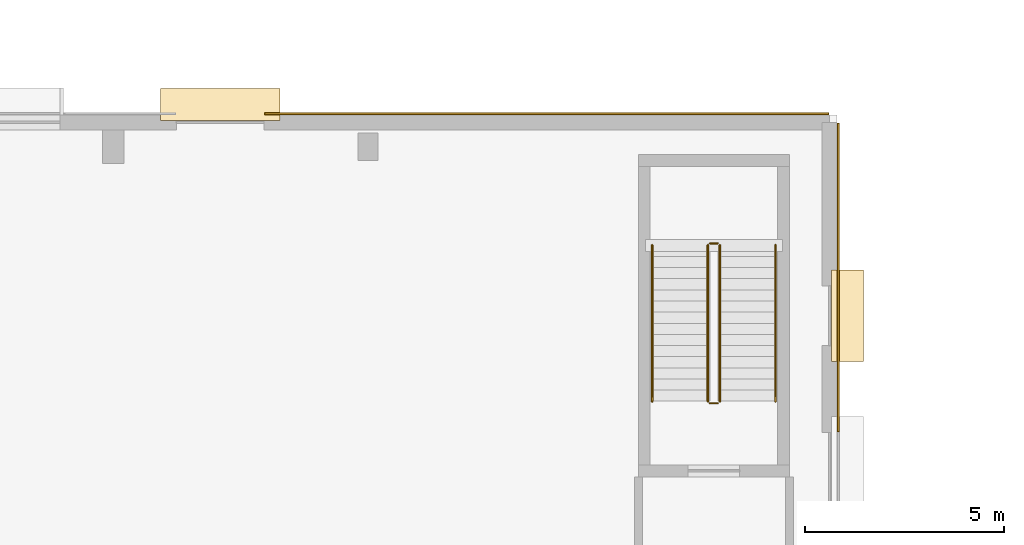
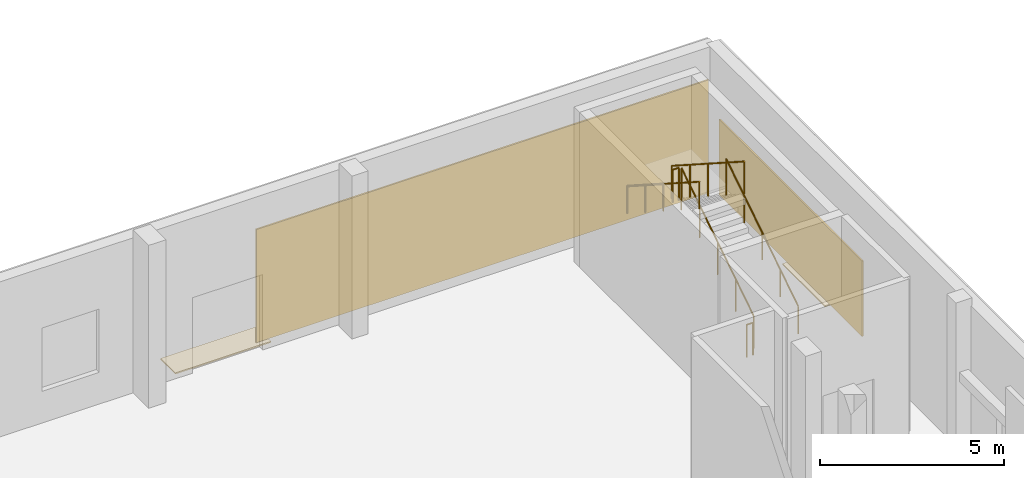
# One storey, part 83 of 84: 6 railings, 4 coverings.
"""IFC4 building model written with IfcOpenShell, lengths in metres."""

from ifc_helpers import new_model, si_unit, direction, frame, origin, origin_2d, place, context, subcontext, project, spatial, rectangle, circle, extrude, material, layer, layer_set, type_object, element, save


model = new_model("IFC4")

# Units and contexts
model_context = context("Model", 3, precision=1e-05, world=origin(), true_north=direction((0.0, 1.0)))
body_context = subcontext(model_context, "Body", "Model", "MODEL_VIEW")
ifc_project = project(units=[si_unit("LENGTHUNIT", "METRE"), si_unit("AREAUNIT", "SQUARE_METRE"), si_unit("VOLUMEUNIT", "CUBIC_METRE"), si_unit("PLANEANGLEUNIT", "RADIAN"), si_unit("MASSUNIT", "GRAM", prefix="KILO")], contexts=[model_context])

# Site, building, storey
site_placement = place(None, origin())
site = spatial("IfcSite", under=ifc_project, at=site_placement, CompositionType="ELEMENT")
building_placement = place(site_placement, origin())
building = spatial("IfcBuilding", under=site, at=building_placement, Name="Mzevani Central Library", CompositionType="ELEMENT")
storey_placement = place(building_placement, origin())
storey = spatial("IfcBuildingStorey", under=building, at=storey_placement, Name="L00", CompositionType="ELEMENT", Elevation=0.0)

# Railings
ifc_material_1 = material(Name="Brushed stainless steel rail", Category="steel")
railing_type_1 = type_object("IfcRailingType", Name="Interior Gallery and Stair Guard 1100", PredefinedType="BALUSTRADE", material=ifc_material_1)
railing_1_placement = place(storey_placement, frame((161.449951171875, 68.699951171875, 0.179931640625)))
element("IfcRailing", 1, at=railing_1_placement, inside=storey, type_object=railing_type_1, Name="L00 ST-02 stair guard 1", PredefinedType="BALUSTRADE", context=body_context, shape_type="SweptSolid", body=[
    extrude(circle(Radius=0.02392578125, at=origin_2d()), frame((0.0, 0.0, 1.076171875), z_axis=(0.0, 0.841186985886, 0.540744352514), x_axis=(-1.0, 0.0, 0.0)), (0.0, 0.0, 1.0), 4.660400390625),
    extrude(circle(Radius=0.02099609375, at=origin_2d()), origin(), (0.0, 0.0, 1.0), 1.052001953125),
    extrude(circle(Radius=0.02099609375, at=origin_2d()), frame((0.0, 0.97998046875, 0.6298828125)), (0.0, 0.0, 1.0), 1.052001953125),
    extrude(circle(Radius=0.02099609375, at=origin_2d()), frame((0.0, 1.9599609375, 1.260009765625)), (0.0, 0.0, 1.0), 1.052001953125),
    extrude(circle(Radius=0.02099609375, at=origin_2d()), frame((0.0, 2.940185546875, 1.89013671875)), (0.0, 0.0, 1.0), 1.052001953125),
    extrude(circle(Radius=0.02099609375, at=origin_2d()), frame((0.0, 3.920166015625, 2.52001953125)), (0.0, 0.0, 1.0), 1.052001953125),
])
railing_2_placement = place(storey_placement, frame((161.39990234375, 72.669921875, 2.699951171875)))
element("IfcRailing", 2, at=railing_2_placement, inside=storey, type_object=railing_type_1, Name="L00 ST-02 stair guard 2", PredefinedType="BALUSTRADE", context=body_context, shape_type="SweptSolid", body=[
    extrude(circle(Radius=0.02392578125, at=origin_2d()), frame((0.0, 0.0, 1.076171875), z_axis=(-1.0, 0.0, 0.0), x_axis=(0.0, -1.0, 0.0)), (0.0, 0.0, 1.0), 0.199951171875),
    extrude(circle(Radius=0.02099609375, at=origin_2d()), origin(), (0.0, 0.0, 1.0), 1.052001953125),
    extrude(circle(Radius=0.02099609375, at=origin_2d()), frame((-0.199951171875, 0.0, 0.0)), (0.0, 0.0, 1.0), 1.052001953125),
])
railing_3_placement = place(storey_placement, frame((161.14990234375, 72.6201171875, 2.8798828125)))
element("IfcRailing", 3, at=railing_3_placement, inside=storey, type_object=railing_type_1, Name="L00 ST-02 stair guard 3", PredefinedType="BALUSTRADE", context=body_context, shape_type="SweptSolid", body=[
    extrude(circle(Radius=0.02392578125, at=origin_2d()), frame((0.0, 0.0, 1.076171875), z_axis=(0.0, -0.841186985886, 0.540744352514), x_axis=(1.0, 0.0, 0.0)), (0.0, 0.0, 1.0), 4.660400390625),
    extrude(circle(Radius=0.02099609375, at=origin_2d()), origin(), (0.0, 0.0, 1.0), 1.052001953125),
    extrude(circle(Radius=0.02099609375, at=origin_2d()), frame((0.0, -0.97998046875, 0.6298828125)), (0.0, 0.0, 1.0), 1.052001953125),
    extrude(circle(Radius=0.02099609375, at=origin_2d()), frame((0.0, -1.9599609375, 1.260009765625)), (0.0, 0.0, 1.0), 1.052001953125),
    extrude(circle(Radius=0.02099609375, at=origin_2d()), frame((0.0, -2.940185546875, 1.89013671875)), (0.0, 0.0, 1.0), 1.052001953125),
    extrude(circle(Radius=0.02099609375, at=origin_2d()), frame((0.0, -3.920166015625, 2.52001953125)), (0.0, 0.0, 1.0), 1.052001953125),
])
railing_4_placement = place(storey_placement, frame((161.39990234375, 68.64990234375, 0.0)))
element("IfcRailing", 4, at=railing_4_placement, inside=storey, type_object=railing_type_1, Name="L00 ST-02 stair guard 4", PredefinedType="BALUSTRADE", context=body_context, shape_type="SweptSolid", body=[
    extrude(circle(Radius=0.02392578125, at=origin_2d()), frame((0.0, 0.0, 1.076171875), z_axis=(-1.0, 0.0, 0.0), x_axis=(0.0, -1.0, 0.0)), (0.0, 0.0, 1.0), 0.199951171875),
    extrude(circle(Radius=0.02099609375, at=origin_2d()), origin(), (0.0, 0.0, 1.0), 1.052001953125),
    extrude(circle(Radius=0.02099609375, at=origin_2d()), frame((-0.199951171875, 0.0, 0.0)), (0.0, 0.0, 1.0), 1.052001953125),
])

# Coverings
ifc_material_2 = material(Name="Limestone ashlar cladding", Category="masonry")
ifc_layer_1 = layer(ifc_material_2, 0.050048828125, Name="Limestone Ashlar Spandrel Cladding")
ifc_layer_set_1 = layer_set([ifc_layer_1], Name="Limestone ashlar cladding")
covering_type_1 = type_object("IfcCoveringType", Name="Limestone Ashlar Spandrel Cladding", PredefinedType="CLADDING", material=ifc_layer_set_1)
covering_1_placement = place(storey_placement, frame((164.424072265625, 71.811767578125, 0.0), z_axis=(0.0, 0.0, 1.0), x_axis=(0.0, -1.0, 0.0)))
element("IfcCovering", 5, at=covering_1_placement, inside=storey, type_object=covering_type_1, Name="L00 Warm-White Facade Pier 1 (EW4-V1-L00-0001)", PredefinedType="CLADDING", context=body_context, shape_type="SweptSolid", body=[
    extrude(rectangle(XDim=7.756591796875, YDim=0.050048828125, at=origin_2d()), origin(), (0.0, 0.0, 1.0), 2.5),
])
covering_2_placement = place(storey_placement, frame((157.099365234375, 75.924072265625, 0.0), z_axis=(0.0, 0.0, 1.0), x_axis=(1.0, 0.0, 0.0)))
element("IfcCovering", 6, at=covering_2_placement, inside=storey, type_object=covering_type_1, Name="L00 Warm-White Facade Pier 6 (EW4-V1-L00-0005)", PredefinedType="CLADDING", context=body_context, shape_type="SweptSolid", body=[
    extrude(rectangle(XDim=14.181396484375, YDim=0.050048828125, at=origin_2d()), origin(), (0.0, 0.0, 1.0), 3.75),
])

# Railings
railing_type_2 = type_object("IfcRailingType", Name="Stair Wall Handrail 920", PredefinedType="HANDRAIL", material=ifc_material_1)
railing_5_placement = place(storey_placement, frame((162.85009765625, 68.699951171875, 0.179931640625)))
element("IfcRailing", 7, at=railing_5_placement, inside=storey, type_object=railing_type_2, Name="L00 ST-02 stair handrail 1", PredefinedType="HANDRAIL", context=body_context, shape_type="SweptSolid", body=[
    extrude(circle(Radius=0.02392578125, at=origin_2d()), frame((0.0, 0.0, 0.89599609375), z_axis=(0.0, 0.841186985886, 0.540744352514), x_axis=(-1.0, 0.0, 0.0)), (0.0, 0.0, 1.0), 4.660400390625),
    extrude(circle(Radius=0.02099609375, at=origin_2d()), origin(), (0.0, 0.0, 1.0), 0.871826171875),
    extrude(circle(Radius=0.02099609375, at=origin_2d()), frame((0.0, 0.97998046875, 0.6298828125)), (0.0, 0.0, 1.0), 0.871826171875),
    extrude(circle(Radius=0.02099609375, at=origin_2d()), frame((0.0, 1.9599609375, 1.260009765625)), (0.0, 0.0, 1.0), 0.871826171875),
    extrude(circle(Radius=0.02099609375, at=origin_2d()), frame((0.0, 2.940185546875, 1.89013671875)), (0.0, 0.0, 1.0), 0.871826171875),
    extrude(circle(Radius=0.02099609375, at=origin_2d()), frame((0.0, 3.920166015625, 2.52001953125)), (0.0, 0.0, 1.0), 0.871826171875),
])
railing_6_placement = place(storey_placement, frame((159.75, 72.6201171875, 2.8798828125)))
element("IfcRailing", 8, at=railing_6_placement, inside=storey, type_object=railing_type_2, Name="L00 ST-02 stair handrail 2", PredefinedType="HANDRAIL", context=body_context, shape_type="SweptSolid", body=[
    extrude(circle(Radius=0.02392578125, at=origin_2d()), frame((0.0, 0.0, 0.89599609375), z_axis=(0.0, -0.841186985886, 0.540744352514), x_axis=(1.0, 0.0, 0.0)), (0.0, 0.0, 1.0), 4.660400390625),
    extrude(circle(Radius=0.02099609375, at=origin_2d()), origin(), (0.0, 0.0, 1.0), 0.871826171875),
    extrude(circle(Radius=0.02099609375, at=origin_2d()), frame((0.0, -0.97998046875, 0.6298828125)), (0.0, 0.0, 1.0), 0.871826171875),
    extrude(circle(Radius=0.02099609375, at=origin_2d()), frame((0.0, -1.9599609375, 1.260009765625)), (0.0, 0.0, 1.0), 0.871826171875),
    extrude(circle(Radius=0.02099609375, at=origin_2d()), frame((0.0, -2.940185546875, 1.89013671875)), (0.0, 0.0, 1.0), 0.871826171875),
    extrude(circle(Radius=0.02099609375, at=origin_2d()), frame((0.0, -3.920166015625, 2.52001953125)), (0.0, 0.0, 1.0), 0.871826171875),
])

# Coverings
ifc_material_3 = material(Name="Terrazzo stone flooring", Category="masonry")
ifc_layer_2 = layer(ifc_material_3, 0.030029296875, Name="Terrazzo Stone Floor Finish")
ifc_layer_set_2 = layer_set([ifc_layer_2], Name="Terrazzo stone flooring")
covering_type_2 = type_object("IfcCoveringType", Name="Terrazzo Stone Floor Finish", PredefinedType="FLOORING", material=ifc_layer_set_2)
covering_3_placement = place(storey_placement, frame((148.888671875, 76.159912109375, -0.0400390625), z_axis=(0.0, 0.0, 1.0), x_axis=(1.0, 0.0, 0.0)))
element("IfcCovering", 9, at=covering_3_placement, inside=storey, type_object=covering_type_2, Name="L00 V1 Exterior Entrance Threshold Apron (5)", PredefinedType="FLOORING", context=body_context, shape_type="SweptSolid", body=[
    extrude(rectangle(XDim=3.0, YDim=0.800048828125, at=origin_2d()), origin(), (0.0, 0.0, 1.0), 0.0400390625),
])
covering_4_placement = place(storey_placement, frame((164.659912109375, 70.85009765625, -0.0400390625), z_axis=(0.0, 0.0, 1.0), x_axis=(0.0, -1.0, 0.0)))
element("IfcCovering", 10, at=covering_4_placement, inside=storey, type_object=covering_type_2, Name="L00 ST-02 Final Exit Discharge Apron", PredefinedType="FLOORING", context=body_context, shape_type="SweptSolid", body=[
    extrude(rectangle(XDim=2.300048828125, YDim=0.800048828125, at=origin_2d()), origin(), (0.0, 0.0, 1.0), 0.0400390625),
])

save(model, "model.ifc")
